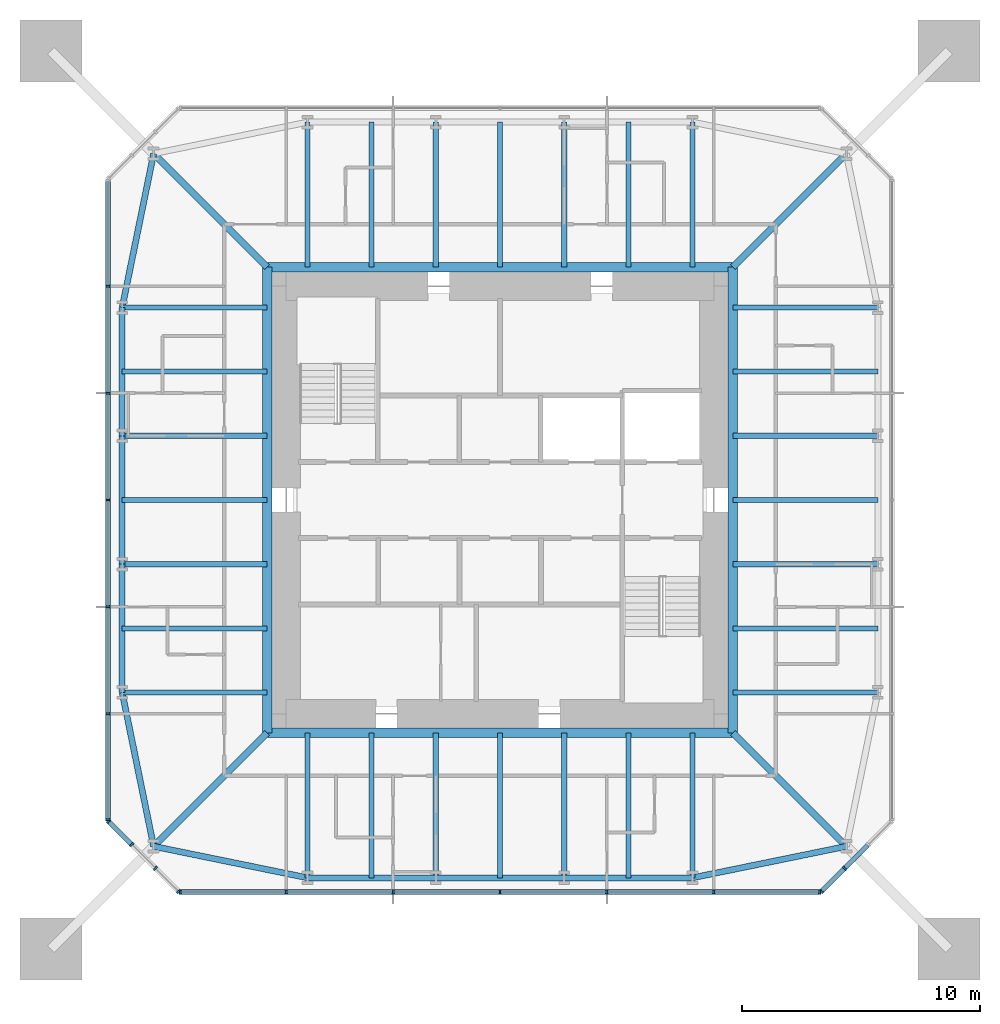
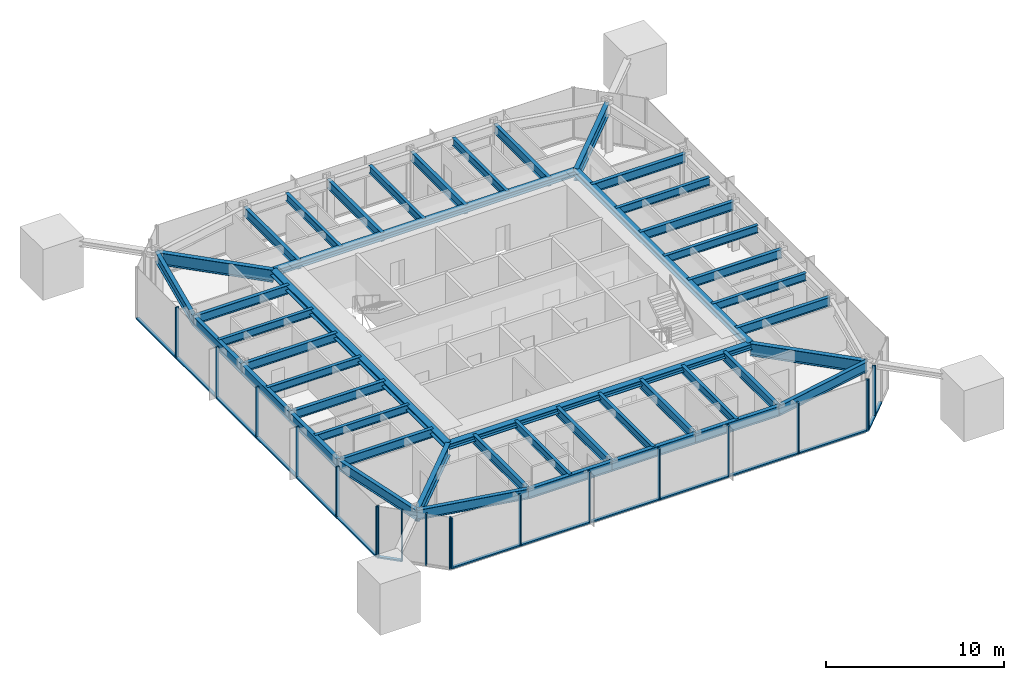
# One storey, part 2 of 9: 46 beams, 34 members, 4 elements without a shape of their own.
"""IFC4 building model written with IfcOpenShell, lengths in metres."""

from ifc_helpers import new_model, si_unit, direction, frame, origin, origin_2d, place, context, subcontext, project, spatial, rectangle, i_section, extrude, material, material_profile, profile_set, type_object, element, aggregate, save


model = new_model("IFC4")

# Units and contexts
model_context = context("Model", 3, precision=1e-05, world=origin(), true_north=direction((0.0, 1.0)))
body_context = subcontext(model_context, "Body", "Model", "MODEL_VIEW")
ifc_project = project(units=[si_unit("LENGTHUNIT", "METRE"), si_unit("AREAUNIT", "SQUARE_METRE"), si_unit("VOLUMEUNIT", "CUBIC_METRE"), si_unit("PLANEANGLEUNIT", "RADIAN"), si_unit("MASSUNIT", "GRAM", prefix="KILO")], contexts=[model_context])

# Site, building, storey
site_placement = place(None, origin())
site = spatial("IfcSite", under=ifc_project, at=site_placement, CompositionType="ELEMENT")
building_placement = place(site_placement, origin())
building = spatial("IfcBuilding", under=site, at=building_placement, Name="Iwan Alto Co-Living Towers", CompositionType="ELEMENT")
storey_placement = place(building_placement, frame((0.0, 0.0, 243.0)))
storey = spatial("IfcBuildingStorey", under=building, at=storey_placement, Name="L66", CompositionType="ELEMENT", Elevation=243.0)

# Curtain wall, members
ifc_material_1 = material(Name="Bronze aluminium unitised frame", Category="aluminium")
curtain_wall_type_1 = type_object("IfcCurtainWallType", Name="CURTAIN WALL CW-A", PredefinedType="NOTDEFINED", material=ifc_material_1)
curtain_wall_1_placement = place(storey_placement, origin())
curtain_wall_1 = element("IfcCurtainWall", 1, at=curtain_wall_1_placement, inside=storey, type_object=curtain_wall_type_1, Name="T1 curtain wall S L66", PredefinedType="NOTDEFINED")
ifc_material_2 = material(Name="Aluminium 6063-T6 bronze anodised", Category="aluminium")
ifc_material_profile_1 = material_profile(ifc_material_2, rectangle(XDim=0.199951171875, YDim=0.080078125, at=origin_2d()), Name="AL 80X200")
ifc_profile_set_1 = profile_set([ifc_material_profile_1], Name="Aluminium 6063-T6 bronze anodised")
member_type_1 = type_object("IfcMemberType", Name="CW-A MULLION 80X200", PredefinedType="MULLION", material=ifc_profile_set_1)
member_1_placement = place(storey_placement, frame((-13.4599609375, -16.5, 0.0), z_axis=(0.0, 0.0, 1.0), x_axis=(0.0, 1.0, 0.0)))
member_1 = element("IfcMember", 2, at=member_1_placement, type_object=member_type_1, Name="CW-A mullion 1", PredefinedType="MULLION", context=body_context, shape_type="SweptSolid", body=[
    extrude(rectangle(XDim=0.199951171875, YDim=0.080078125, at=origin_2d()), origin(), (0.0, 0.0, 1.0), 3.5),
])
member_2_placement = place(storey_placement, frame((-9.0, -16.5, 0.0), z_axis=(0.0, 0.0, 1.0), x_axis=(0.0, 1.0, 0.0)))
member_2 = element("IfcMember", 3, at=member_2_placement, type_object=member_type_1, Name="CW-A mullion 2", PredefinedType="MULLION", context=body_context, shape_type="SweptSolid", body=[
    extrude(rectangle(XDim=0.199951171875, YDim=0.080078125, at=origin_2d()), origin(), (0.0, 0.0, 1.0), 3.5),
])
member_3_placement = place(storey_placement, frame((-4.5, -16.5, 0.0), z_axis=(0.0, 0.0, 1.0), x_axis=(0.0, 1.0, 0.0)))
member_3 = element("IfcMember", 4, at=member_3_placement, type_object=member_type_1, Name="CW-A mullion 3", PredefinedType="MULLION", context=body_context, shape_type="SweptSolid", body=[
    extrude(rectangle(XDim=0.199951171875, YDim=0.080078125, at=origin_2d()), origin(), (0.0, 0.0, 1.0), 3.5),
])
member_4_placement = place(storey_placement, frame((0.0, -16.5, 0.0), z_axis=(0.0, 0.0, 1.0), x_axis=(0.0, 1.0, 0.0)))
member_4 = element("IfcMember", 5, at=member_4_placement, type_object=member_type_1, Name="CW-A mullion 4", PredefinedType="MULLION", context=body_context, shape_type="SweptSolid", body=[
    extrude(rectangle(XDim=0.199951171875, YDim=0.080078125, at=origin_2d()), origin(), (0.0, 0.0, 1.0), 3.5),
])
member_5_placement = place(storey_placement, frame((4.5, -16.5, 0.0), z_axis=(0.0, 0.0, 1.0), x_axis=(0.0, 1.0, 0.0)))
member_5 = element("IfcMember", 6, at=member_5_placement, type_object=member_type_1, Name="CW-A mullion 5", PredefinedType="MULLION", context=body_context, shape_type="SweptSolid", body=[
    extrude(rectangle(XDim=0.199951171875, YDim=0.080078125, at=origin_2d()), origin(), (0.0, 0.0, 1.0), 3.5),
])
member_6_placement = place(storey_placement, frame((9.0, -16.5, 0.0), z_axis=(0.0, 0.0, 1.0), x_axis=(0.0, 1.0, 0.0)))
member_6 = element("IfcMember", 7, at=member_6_placement, type_object=member_type_1, Name="CW-A mullion 6", PredefinedType="MULLION", context=body_context, shape_type="SweptSolid", body=[
    extrude(rectangle(XDim=0.199951171875, YDim=0.080078125, at=origin_2d()), origin(), (0.0, 0.0, 1.0), 3.5),
])
member_7_placement = place(storey_placement, frame((13.4599609375, -16.5, 0.0), z_axis=(0.0, 0.0, 1.0), x_axis=(0.0, 1.0, 0.0)))
member_7 = element("IfcMember", 8, at=member_7_placement, type_object=member_type_1, Name="CW-A mullion 7", PredefinedType="MULLION", context=body_context, shape_type="SweptSolid", body=[
    extrude(rectangle(XDim=0.199951171875, YDim=0.080078125, at=origin_2d()), origin(), (0.0, 0.0, 1.0), 3.5),
])

curtain_wall_2_placement = place(storey_placement, origin())
curtain_wall_2 = element("IfcCurtainWall", 9, at=curtain_wall_2_placement, inside=storey, type_object=curtain_wall_type_1, Name="T1 curtain wall W L66", PredefinedType="NOTDEFINED")
member_8_placement = place(storey_placement, frame((-16.5, 9.0, 0.0), z_axis=(0.0, 0.0, 1.0), x_axis=(1.0, 0.0, 0.0)))
member_8 = element("IfcMember", 10, at=member_8_placement, type_object=member_type_1, Name="CW-A mullion 2", PredefinedType="MULLION", context=body_context, shape_type="SweptSolid", body=[
    extrude(rectangle(XDim=0.199951171875, YDim=0.080078125, at=origin_2d()), origin(), (0.0, 0.0, 1.0), 3.5),
])
member_9_placement = place(storey_placement, frame((-16.5, 4.5, 0.0), z_axis=(0.0, 0.0, 1.0), x_axis=(1.0, 0.0, 0.0)))
member_9 = element("IfcMember", 11, at=member_9_placement, type_object=member_type_1, Name="CW-A mullion 3", PredefinedType="MULLION", context=body_context, shape_type="SweptSolid", body=[
    extrude(rectangle(XDim=0.199951171875, YDim=0.080078125, at=origin_2d()), origin(), (0.0, 0.0, 1.0), 3.5),
])
member_10_placement = place(storey_placement, frame((-16.5, 0.0, 0.0), z_axis=(0.0, 0.0, 1.0), x_axis=(1.0, 0.0, 0.0)))
member_10 = element("IfcMember", 12, at=member_10_placement, type_object=member_type_1, Name="CW-A mullion 4", PredefinedType="MULLION", context=body_context, shape_type="SweptSolid", body=[
    extrude(rectangle(XDim=0.199951171875, YDim=0.080078125, at=origin_2d()), origin(), (0.0, 0.0, 1.0), 3.5),
])
member_11_placement = place(storey_placement, frame((-16.5, -4.5, 0.0), z_axis=(0.0, 0.0, 1.0), x_axis=(1.0, 0.0, 0.0)))
member_11 = element("IfcMember", 13, at=member_11_placement, type_object=member_type_1, Name="CW-A mullion 5", PredefinedType="MULLION", context=body_context, shape_type="SweptSolid", body=[
    extrude(rectangle(XDim=0.199951171875, YDim=0.080078125, at=origin_2d()), origin(), (0.0, 0.0, 1.0), 3.5),
])
member_12_placement = place(storey_placement, frame((-16.5, -9.0, 0.0), z_axis=(0.0, 0.0, 1.0), x_axis=(1.0, 0.0, 0.0)))
member_12 = element("IfcMember", 14, at=member_12_placement, type_object=member_type_1, Name="CW-A mullion 6", PredefinedType="MULLION", context=body_context, shape_type="SweptSolid", body=[
    extrude(rectangle(XDim=0.199951171875, YDim=0.080078125, at=origin_2d()), origin(), (0.0, 0.0, 1.0), 3.5),
])
member_13_placement = place(storey_placement, frame((-16.5, -13.4599609375, 0.0), z_axis=(0.0, 0.0, 1.0), x_axis=(1.0, 0.0, 0.0)))
member_13 = element("IfcMember", 15, at=member_13_placement, type_object=member_type_1, Name="CW-A mullion 7", PredefinedType="MULLION", context=body_context, shape_type="SweptSolid", body=[
    extrude(rectangle(XDim=0.199951171875, YDim=0.080078125, at=origin_2d()), origin(), (0.0, 0.0, 1.0), 3.5),
])

# Member
ifc_material_3 = material(Name="Aluminium 6063-T6 bronze anodised", Category="aluminium")
ifc_material_profile_2 = material_profile(ifc_material_3, rectangle(XDim=0.199951171875, YDim=0.10009765625, at=origin_2d()), Name="AL 200X100")
ifc_profile_set_2 = profile_set([ifc_material_profile_2], Name="Aluminium 6063-T6 bronze anodised")
member_type_2 = type_object("IfcMemberType", Name="CW-A TRANSOM 200X100", PredefinedType="USERDEFINED", material=ifc_profile_set_2)
member_14_placement = place(storey_placement, frame((-13.419921875, -16.5, 0.050048828125), z_axis=(1.0, 0.0, 0.0), x_axis=(0.0, 1.0, 0.0)))
member_14 = element("IfcMember", 16, at=member_14_placement, type_object=member_type_2, Name="CW-A transom 1.1", ObjectType="TRANSOM", PredefinedType="USERDEFINED", context=body_context, shape_type="SweptSolid", body=[
    extrude(rectangle(XDim=0.199951171875, YDim=0.10009765625, at=origin_2d()), origin(), (0.0, 0.0, 1.0), 4.3798828125),
])

member_15_placement = place(storey_placement, frame((-8.9599609375, -16.5, 0.050048828125), z_axis=(1.0, 0.0, 0.0), x_axis=(0.0, 1.0, 0.0)))
member_15 = element("IfcMember", 17, at=member_15_placement, type_object=member_type_2, Name="CW-A transom 2.1", ObjectType="TRANSOM", PredefinedType="USERDEFINED", context=body_context, shape_type="SweptSolid", body=[
    extrude(rectangle(XDim=0.199951171875, YDim=0.10009765625, at=origin_2d()), origin(), (0.0, 0.0, 1.0), 4.419921875),
])

member_16_placement = place(storey_placement, frame((-4.4599609375, -16.5, 0.050048828125), z_axis=(1.0, 0.0, 0.0), x_axis=(0.0, 1.0, 0.0)))
member_16 = element("IfcMember", 18, at=member_16_placement, type_object=member_type_2, Name="CW-A transom 3.1", ObjectType="TRANSOM", PredefinedType="USERDEFINED", context=body_context, shape_type="SweptSolid", body=[
    extrude(rectangle(XDim=0.199951171875, YDim=0.10009765625, at=origin_2d()), origin(), (0.0, 0.0, 1.0), 4.419921875),
])

member_17_placement = place(storey_placement, frame((0.0400390625, -16.5, 0.050048828125), z_axis=(1.0, 0.0, 0.0), x_axis=(0.0, 1.0, 0.0)))
member_17 = element("IfcMember", 19, at=member_17_placement, type_object=member_type_2, Name="CW-A transom 4.1", ObjectType="TRANSOM", PredefinedType="USERDEFINED", context=body_context, shape_type="SweptSolid", body=[
    extrude(rectangle(XDim=0.199951171875, YDim=0.10009765625, at=origin_2d()), origin(), (0.0, 0.0, 1.0), 4.419921875),
])

member_18_placement = place(storey_placement, frame((4.5400390625, -16.5, 0.050048828125), z_axis=(1.0, 0.0, 0.0), x_axis=(0.0, 1.0, 0.0)))
member_18 = element("IfcMember", 20, at=member_18_placement, type_object=member_type_2, Name="CW-A transom 5.1", ObjectType="TRANSOM", PredefinedType="USERDEFINED", context=body_context, shape_type="SweptSolid", body=[
    extrude(rectangle(XDim=0.199951171875, YDim=0.10009765625, at=origin_2d()), origin(), (0.0, 0.0, 1.0), 4.419921875),
])

member_19_placement = place(storey_placement, frame((9.0400390625, -16.5, 0.050048828125), z_axis=(1.0, 0.0, 0.0), x_axis=(0.0, 1.0, 0.0)))
member_19 = element("IfcMember", 21, at=member_19_placement, type_object=member_type_2, Name="CW-A transom 6.1", ObjectType="TRANSOM", PredefinedType="USERDEFINED", context=body_context, shape_type="SweptSolid", body=[
    extrude(rectangle(XDim=0.199951171875, YDim=0.10009765625, at=origin_2d()), origin(), (0.0, 0.0, 1.0), 4.3798828125),
])

aggregate(curtain_wall_1, [member_1, member_2, member_3, member_4, member_5, member_6, member_7, member_14, member_15, member_16, member_17, member_18, member_19])

member_20_placement = place(storey_placement, frame((-16.5, 13.419921875, 0.050048828125), z_axis=(0.0, -1.0, 0.0), x_axis=(1.0, 0.0, 0.0)))
member_20 = element("IfcMember", 22, at=member_20_placement, type_object=member_type_2, Name="CW-A transom 1.1", ObjectType="TRANSOM", PredefinedType="USERDEFINED", context=body_context, shape_type="SweptSolid", body=[
    extrude(rectangle(XDim=0.199951171875, YDim=0.10009765625, at=origin_2d()), origin(), (0.0, 0.0, 1.0), 4.3798828125),
])

member_21_placement = place(storey_placement, frame((-16.5, 8.9599609375, 0.050048828125), z_axis=(0.0, -1.0, 0.0), x_axis=(1.0, 0.0, 0.0)))
member_21 = element("IfcMember", 23, at=member_21_placement, type_object=member_type_2, Name="CW-A transom 2.1", ObjectType="TRANSOM", PredefinedType="USERDEFINED", context=body_context, shape_type="SweptSolid", body=[
    extrude(rectangle(XDim=0.199951171875, YDim=0.10009765625, at=origin_2d()), origin(), (0.0, 0.0, 1.0), 4.419921875),
])

member_22_placement = place(storey_placement, frame((-16.5, 4.4599609375, 0.050048828125), z_axis=(0.0, -1.0, 0.0), x_axis=(1.0, 0.0, 0.0)))
member_22 = element("IfcMember", 24, at=member_22_placement, type_object=member_type_2, Name="CW-A transom 3.1", ObjectType="TRANSOM", PredefinedType="USERDEFINED", context=body_context, shape_type="SweptSolid", body=[
    extrude(rectangle(XDim=0.199951171875, YDim=0.10009765625, at=origin_2d()), origin(), (0.0, 0.0, 1.0), 4.419921875),
])

member_23_placement = place(storey_placement, frame((-16.5, -0.0400390625, 0.050048828125), z_axis=(0.0, -1.0, 0.0), x_axis=(1.0, 0.0, 0.0)))
member_23 = element("IfcMember", 25, at=member_23_placement, type_object=member_type_2, Name="CW-A transom 4.1", ObjectType="TRANSOM", PredefinedType="USERDEFINED", context=body_context, shape_type="SweptSolid", body=[
    extrude(rectangle(XDim=0.199951171875, YDim=0.10009765625, at=origin_2d()), origin(), (0.0, 0.0, 1.0), 4.419921875),
])

member_24_placement = place(storey_placement, frame((-16.5, -4.5400390625, 0.050048828125), z_axis=(0.0, -1.0, 0.0), x_axis=(1.0, 0.0, 0.0)))
member_24 = element("IfcMember", 26, at=member_24_placement, type_object=member_type_2, Name="CW-A transom 5.1", ObjectType="TRANSOM", PredefinedType="USERDEFINED", context=body_context, shape_type="SweptSolid", body=[
    extrude(rectangle(XDim=0.199951171875, YDim=0.10009765625, at=origin_2d()), origin(), (0.0, 0.0, 1.0), 4.419921875),
])

member_25_placement = place(storey_placement, frame((-16.5, -9.0400390625, 0.050048828125), z_axis=(0.0, -1.0, 0.0), x_axis=(1.0, 0.0, 0.0)))
member_25 = element("IfcMember", 27, at=member_25_placement, type_object=member_type_2, Name="CW-A transom 6.1", ObjectType="TRANSOM", PredefinedType="USERDEFINED", context=body_context, shape_type="SweptSolid", body=[
    extrude(rectangle(XDim=0.199951171875, YDim=0.10009765625, at=origin_2d()), origin(), (0.0, 0.0, 1.0), 4.3798828125),
])

aggregate(curtain_wall_2, [member_8, member_9, member_10, member_11, member_12, member_13, member_20, member_21, member_22, member_23, member_24, member_25])

# Curtain wall, members
ifc_material_4 = material(Name="Bronze aluminium unitised frame", Category="aluminium")
curtain_wall_type_2 = type_object("IfcCurtainWallType", Name="CURTAIN WALL CW-B", PredefinedType="NOTDEFINED", material=ifc_material_4)
curtain_wall_3_placement = place(storey_placement, origin())
curtain_wall_3 = element("IfcCurtainWall", 28, at=curtain_wall_3_placement, inside=storey, type_object=curtain_wall_type_2, Name="T1 chamfer curtain wall SE L66", PredefinedType="NOTDEFINED")
ifc_material_5 = material(Name="Aluminium 6063-T6 bronze anodised", Category="aluminium")
ifc_material_profile_3 = material_profile(ifc_material_5, rectangle(XDim=0.199951171875, YDim=0.080078125, at=origin_2d()), Name="AL 80X200")
ifc_profile_set_3 = profile_set([ifc_material_profile_3], Name="Aluminium 6063-T6 bronze anodised")
member_type_3 = type_object("IfcMemberType", Name="CW-B MULLION 80X200", PredefinedType="MULLION", material=ifc_profile_set_3)
member_26_placement = place(storey_placement, frame((13.5283203125, -16.4716796875, 0.0), z_axis=(0.0, 0.0, 1.0), x_axis=(-0.707106781187, 0.707106781187, 0.0)))
member_26 = element("IfcMember", 29, at=member_26_placement, type_object=member_type_3, Name="CW-B mullion 1", PredefinedType="MULLION", context=body_context, shape_type="SweptSolid", body=[
    extrude(rectangle(XDim=0.199951171875, YDim=0.080078125, at=origin_2d()), origin(), (0.0, 0.0, 1.0), 3.5),
])
member_27_placement = place(storey_placement, frame((14.5, -15.5, 0.0), z_axis=(0.0, 0.0, 1.0), x_axis=(-0.707106781187, 0.707106781187, 0.0)))
member_27 = element("IfcMember", 30, at=member_27_placement, type_object=member_type_3, Name="CW-B mullion 2", PredefinedType="MULLION", context=body_context, shape_type="SweptSolid", body=[
    extrude(rectangle(XDim=0.199951171875, YDim=0.080078125, at=origin_2d()), origin(), (0.0, 0.0, 1.0), 3.5),
])

curtain_wall_4_placement = place(storey_placement, origin())
curtain_wall_4 = element("IfcCurtainWall", 31, at=curtain_wall_4_placement, inside=storey, type_object=curtain_wall_type_2, Name="T1 chamfer curtain wall SW L66", PredefinedType="NOTDEFINED")
member_28_placement = place(storey_placement, frame((-16.4716796875, -13.5283203125, 0.0), z_axis=(0.0, 0.0, 1.0), x_axis=(0.707106781187, 0.707106781187, 0.0)))
member_28 = element("IfcMember", 32, at=member_28_placement, type_object=member_type_3, Name="CW-B mullion 1", PredefinedType="MULLION", context=body_context, shape_type="SweptSolid", body=[
    extrude(rectangle(XDim=0.199951171875, YDim=0.080078125, at=origin_2d()), origin(), (0.0, 0.0, 1.0), 3.5),
])
member_29_placement = place(storey_placement, frame((-15.5, -14.5, 0.0), z_axis=(0.0, 0.0, 1.0), x_axis=(0.707106781187, 0.707106781187, 0.0)))
member_29 = element("IfcMember", 33, at=member_29_placement, type_object=member_type_3, Name="CW-B mullion 2", PredefinedType="MULLION", context=body_context, shape_type="SweptSolid", body=[
    extrude(rectangle(XDim=0.199951171875, YDim=0.080078125, at=origin_2d()), origin(), (0.0, 0.0, 1.0), 3.5),
])
member_30_placement = place(storey_placement, frame((-14.5, -15.5, 0.0), z_axis=(0.0, 0.0, 1.0), x_axis=(0.707106781187, 0.707106781187, 0.0)))
member_30 = element("IfcMember", 34, at=member_30_placement, type_object=member_type_3, Name="CW-B mullion 3", PredefinedType="MULLION", context=body_context, shape_type="SweptSolid", body=[
    extrude(rectangle(XDim=0.199951171875, YDim=0.080078125, at=origin_2d()), origin(), (0.0, 0.0, 1.0), 3.5),
])
member_31_placement = place(storey_placement, frame((-13.5283203125, -16.4716796875, 0.0), z_axis=(0.0, 0.0, 1.0), x_axis=(0.707106781187, 0.707106781187, 0.0)))
member_31 = element("IfcMember", 35, at=member_31_placement, type_object=member_type_3, Name="CW-B mullion 4", PredefinedType="MULLION", context=body_context, shape_type="SweptSolid", body=[
    extrude(rectangle(XDim=0.199951171875, YDim=0.080078125, at=origin_2d()), origin(), (0.0, 0.0, 1.0), 3.5),
])

# Member
ifc_material_6 = material(Name="Aluminium 6063-T6 bronze anodised", Category="aluminium")
ifc_material_profile_4 = material_profile(ifc_material_6, rectangle(XDim=0.199951171875, YDim=0.10009765625, at=origin_2d()), Name="AL 200X100")
ifc_profile_set_4 = profile_set([ifc_material_profile_4], Name="Aluminium 6063-T6 bronze anodised")
member_type_4 = type_object("IfcMemberType", Name="CW-B TRANSOM 200X100", PredefinedType="USERDEFINED", material=ifc_profile_set_4)
member_32_placement = place(storey_placement, frame((13.556640625, -16.443359375, 0.050048828125), z_axis=(0.707106781187, 0.707106781187, 0.0), x_axis=(-0.707106781187, 0.707106781187, 0.0)))
member_32 = element("IfcMember", 36, at=member_32_placement, type_object=member_type_4, Name="CW-B transom 1.1", ObjectType="TRANSOM", PredefinedType="USERDEFINED", context=body_context, shape_type="SweptSolid", body=[
    extrude(rectangle(XDim=0.199951171875, YDim=0.10009765625, at=origin_2d()), origin(), (0.0, 0.0, 1.0), 1.2939453125),
])

member_33_placement = place(storey_placement, frame((14.5283203125, -15.4716796875, 0.050048828125), z_axis=(0.707106781187, 0.707106781187, 0.0), x_axis=(-0.707106781187, 0.707106781187, 0.0)))
member_33 = element("IfcMember", 37, at=member_33_placement, type_object=member_type_4, Name="CW-B transom 2.1", ObjectType="TRANSOM", PredefinedType="USERDEFINED", context=body_context, shape_type="SweptSolid", body=[
    extrude(rectangle(XDim=0.199951171875, YDim=0.10009765625, at=origin_2d()), origin(), (0.0, 0.0, 1.0), 1.334228515625),
])

aggregate(curtain_wall_3, [member_26, member_27, member_32, member_33])

member_34_placement = place(storey_placement, frame((-16.443359375, -13.556640625, 0.050048828125), z_axis=(0.707106781187, -0.707106781187, 0.0), x_axis=(0.707106781187, 0.707106781187, 0.0)))
member_34 = element("IfcMember", 38, at=member_34_placement, type_object=member_type_4, Name="CW-B transom 1.1", ObjectType="TRANSOM", PredefinedType="USERDEFINED", context=body_context, shape_type="SweptSolid", body=[
    extrude(rectangle(XDim=0.199951171875, YDim=0.10009765625, at=origin_2d()), origin(), (0.0, 0.0, 1.0), 1.2939453125),
])

aggregate(curtain_wall_4, [member_28, member_29, member_30, member_31, member_34])

# Beams
ifc_material_7 = material(Name="Steel ASTM A992 Gr 50", Category="steel")
ifc_material_profile_5 = material_profile(ifc_material_7, i_section(OverallWidth=0.398681640625, OverallDepth=0.385986328125, WebThickness=0.02099609375, FlangeThickness=0.033203125, at=origin_2d()), Name="W14X176")
ifc_profile_set_5 = profile_set([ifc_material_profile_5], Name="Steel ASTM A992 Gr 50")
beam_type_1 = type_object("IfcBeamType", Name="T1 CORE LEDGER BEAM W14X176", PredefinedType="BEAM", material=ifc_profile_set_5)
for number, where, z_axis, x_axis, name in (
    (39, (-9.79931640625, -9.79931640625, 3.076904296875), (1.0, 0.0, 0.0), (0.0, 1.0, 0.0), "T1 core ledger beam S L67"),
    (40, (9.79931640625, -9.79931640625, 3.076904296875), (0.0, 1.0, 0.0), (-1.0, 0.0, 0.0), "T1 core ledger beam E L67"),
    (41, (9.79931640625, 9.79931640625, 3.076904296875), (-1.0, 0.0, 0.0), (0.0, -1.0, 0.0), "T1 core ledger beam N L67"),
    (42, (-9.79931640625, 9.79931640625, 3.076904296875), (0.0, -1.0, 0.0), (1.0, 0.0, 0.0), "T1 core ledger beam W L67"),
):
    element("IfcBeam", number, at=place(storey_placement, frame(where, z_axis=z_axis, x_axis=x_axis)), inside=storey, type_object=beam_type_1, Name=name, PredefinedType="BEAM", context=body_context, shape_type="SweptSolid", body=[
        extrude(i_section(OverallWidth=0.398681640625, OverallDepth=0.385986328125, WebThickness=0.02099609375, FlangeThickness=0.033203125, at=origin_2d()), origin(), (0.0, 0.0, 1.0), 19.5986328125),
    ])
ifc_material_8 = material(Name="Steel ASTM A992 Gr 50", Category="steel")
ifc_material_profile_6 = material_profile(ifc_material_8, i_section(OverallWidth=0.2919921875, OverallDepth=0.8408203125, WebThickness=0.0146484375, FlangeThickness=0.021728515625, at=origin_2d()), Name="W33X130")
ifc_profile_set_6 = profile_set([ifc_material_profile_6], Name="Steel ASTM A992 Gr 50")
beam_type_2 = type_object("IfcBeamType", Name="T1 CORNER GIRDER W33X130", PredefinedType="BEAM", material=ifc_profile_set_6)
for number, where, z_axis, x_axis, name in (
    (43, (-14.57568359375, -14.57568359375, 2.849609375), (0.707106781187, 0.707106781187, 0.0), (-0.707106781187, 0.707106781187, 0.0), "T1 corner girder CSW L67"),
    (44, (14.57568359375, -14.57568359375, 2.849609375), (-0.707106781187, 0.707106781187, 0.0), (-0.707106781187, -0.707106781187, 0.0), "T1 corner girder CSE L67"),
    (45, (14.57568359375, 14.57568359375, 2.849609375), (-0.707106781187, -0.707106781187, 0.0), (0.707106781187, -0.707106781187, 0.0), "T1 corner girder CNE L67"),
    (46, (-14.57568359375, 14.57568359375, 2.849609375), (0.707106781187, -0.707106781187, 0.0), (0.707106781187, 0.707106781187, 0.0), "T1 corner girder CNW L67"),
):
    element("IfcBeam", number, at=place(storey_placement, frame(where, z_axis=z_axis, x_axis=x_axis)), inside=storey, type_object=beam_type_2, Name=name, PredefinedType="BEAM", context=body_context, shape_type="SweptSolid", body=[
        extrude(i_section(OverallWidth=0.2919921875, OverallDepth=0.8408203125, WebThickness=0.0146484375, FlangeThickness=0.021728515625, at=origin_2d()), origin(), (0.0, 0.0, 1.0), 6.7548828125),
    ])
ifc_material_9 = material(Name="Steel ASTM A992 Gr 50", Category="steel")
ifc_material_profile_7 = material_profile(ifc_material_9, i_section(OverallWidth=0.25390625, OverallDepth=0.683349609375, WebThickness=0.012451171875, FlangeThickness=0.018798828125, at=origin_2d()), Name="W27X94")
ifc_profile_set_7 = profile_set([ifc_material_profile_7], Name="Steel ASTM A992 Gr 50")
beam_type_3 = type_object("IfcBeamType", Name="T1 EDGE BEAM W27X94", PredefinedType="BEAM", material=ifc_profile_set_7)
beam_1_placement = place(storey_placement, frame((-14.57568359375, -14.57568359375, 2.928466796875), z_axis=(0.979724820103, -0.200347889618, 0.0), x_axis=(0.200347889618, 0.979724820103, 0.0)))
element("IfcBeam", 47, at=beam_1_placement, inside=storey, type_object=beam_type_3, Name="T1 edge beam CSW L67", PredefinedType="BEAM", context=body_context, shape_type="SweptSolid", body=[
    extrude(i_section(OverallWidth=0.25390625, OverallDepth=0.683349609375, WebThickness=0.012451171875, FlangeThickness=0.018798828125, at=origin_2d()), origin(), (0.0, 0.0, 1.0), 6.609619140625),
])
beam_2_placement = place(storey_placement, frame((-8.10009765625, -15.89990234375, 2.928466796875), z_axis=(1.0, 0.0, 0.0), x_axis=(0.0, 1.0, 0.0)))
element("IfcBeam", 48, at=beam_2_placement, inside=storey, type_object=beam_type_3, Name="T1 edge beam S1 L67", PredefinedType="BEAM", context=body_context, shape_type="SweptSolid", body=[
    extrude(i_section(OverallWidth=0.25390625, OverallDepth=0.683349609375, WebThickness=0.012451171875, FlangeThickness=0.018798828125, at=origin_2d()), origin(), (0.0, 0.0, 1.0), 5.400146484375),
])
beam_3_placement = place(storey_placement, frame((-2.699951171875, -15.89990234375, 2.928466796875), z_axis=(1.0, 0.0, 0.0), x_axis=(0.0, 1.0, 0.0)))
element("IfcBeam", 49, at=beam_3_placement, inside=storey, type_object=beam_type_3, Name="T1 edge beam S2 L67", PredefinedType="BEAM", context=body_context, shape_type="SweptSolid", body=[
    extrude(i_section(OverallWidth=0.25390625, OverallDepth=0.683349609375, WebThickness=0.012451171875, FlangeThickness=0.018798828125, at=origin_2d()), origin(), (0.0, 0.0, 1.0), 5.39990234375),
])
beam_4_placement = place(storey_placement, frame((2.699951171875, -15.89990234375, 2.928466796875), z_axis=(1.0, 0.0, 0.0), x_axis=(0.0, 1.0, 0.0)))
element("IfcBeam", 50, at=beam_4_placement, inside=storey, type_object=beam_type_3, Name="T1 edge beam S3 L67", PredefinedType="BEAM", context=body_context, shape_type="SweptSolid", body=[
    extrude(i_section(OverallWidth=0.25390625, OverallDepth=0.683349609375, WebThickness=0.012451171875, FlangeThickness=0.018798828125, at=origin_2d()), origin(), (0.0, 0.0, 1.0), 5.400146484375),
])
for number, where, z_axis, x_axis, name in (
    (51, (8.10009765625, -15.89990234375, 2.928466796875), (0.979724820103, 0.200347889618, 0.0), (-0.200347889618, 0.979724820103, 0.0), "T1 edge beam S4 L67"),
    (52, (-14.57568359375, 14.57568359375, 2.928466796875), (-0.200347889618, -0.979724820103, 0.0), (0.979724820103, -0.200347889618, 0.0), "T1 edge beam CNW L67"),
):
    element("IfcBeam", number, at=place(storey_placement, frame(where, z_axis=z_axis, x_axis=x_axis)), inside=storey, type_object=beam_type_3, Name=name, PredefinedType="BEAM", context=body_context, shape_type="SweptSolid", body=[
        extrude(i_section(OverallWidth=0.25390625, OverallDepth=0.683349609375, WebThickness=0.012451171875, FlangeThickness=0.018798828125, at=origin_2d()), origin(), (0.0, 0.0, 1.0), 6.609619140625),
    ])
beam_5_placement = place(storey_placement, frame((-15.89990234375, 8.10009765625, 2.928466796875), z_axis=(0.0, -1.0, 0.0), x_axis=(1.0, 0.0, 0.0)))
element("IfcBeam", 53, at=beam_5_placement, inside=storey, type_object=beam_type_3, Name="T1 edge beam W1 L67", PredefinedType="BEAM", context=body_context, shape_type="SweptSolid", body=[
    extrude(i_section(OverallWidth=0.25390625, OverallDepth=0.683349609375, WebThickness=0.012451171875, FlangeThickness=0.018798828125, at=origin_2d()), origin(), (0.0, 0.0, 1.0), 5.400146484375),
])
beam_6_placement = place(storey_placement, frame((-15.89990234375, 2.699951171875, 2.928466796875), z_axis=(0.0, -1.0, 0.0), x_axis=(1.0, 0.0, 0.0)))
element("IfcBeam", 54, at=beam_6_placement, inside=storey, type_object=beam_type_3, Name="T1 edge beam W2 L67", PredefinedType="BEAM", context=body_context, shape_type="SweptSolid", body=[
    extrude(i_section(OverallWidth=0.25390625, OverallDepth=0.683349609375, WebThickness=0.012451171875, FlangeThickness=0.018798828125, at=origin_2d()), origin(), (0.0, 0.0, 1.0), 5.39990234375),
])
beam_7_placement = place(storey_placement, frame((-15.89990234375, -2.699951171875, 2.928466796875), z_axis=(0.0, -1.0, 0.0), x_axis=(1.0, 0.0, 0.0)))
element("IfcBeam", 55, at=beam_7_placement, inside=storey, type_object=beam_type_3, Name="T1 edge beam W3 L67", PredefinedType="BEAM", context=body_context, shape_type="SweptSolid", body=[
    extrude(i_section(OverallWidth=0.25390625, OverallDepth=0.683349609375, WebThickness=0.012451171875, FlangeThickness=0.018798828125, at=origin_2d()), origin(), (0.0, 0.0, 1.0), 5.400146484375),
])
beam_8_placement = place(storey_placement, frame((-15.89990234375, -8.10009765625, 2.928466796875), z_axis=(0.200347889618, -0.979724820103, 0.0), x_axis=(0.979724820103, 0.200347889618, 0.0)))
element("IfcBeam", 56, at=beam_8_placement, inside=storey, type_object=beam_type_3, Name="T1 edge beam W4 L67", PredefinedType="BEAM", context=body_context, shape_type="SweptSolid", body=[
    extrude(i_section(OverallWidth=0.25390625, OverallDepth=0.683349609375, WebThickness=0.012451171875, FlangeThickness=0.018798828125, at=origin_2d()), origin(), (0.0, 0.0, 1.0), 6.609619140625),
])
ifc_material_10 = material(Name="Steel ASTM A992 Gr 50", Category="steel")
ifc_material_profile_8 = material_profile(ifc_material_10, i_section(OverallWidth=0.228271484375, OverallDepth=0.607177734375, WebThickness=0.01123046875, FlangeThickness=0.017333984375, at=origin_2d()), Name="W24X76")
ifc_profile_set_8 = profile_set([ifc_material_profile_8], Name="Steel ASTM A992 Gr 50")
beam_type_4 = type_object("IfcBeamType", Name="T1 RADIAL BEAM W24X76", PredefinedType="BEAM", material=ifc_profile_set_8)
for number, where, z_axis, x_axis, name in (
    (57, (-8.10009765625, -15.89990234375, 2.966552734375), (0.0, 1.0, 0.0), (-1.0, 0.0, 0.0), "T1 radial beam S1 L67"),
    (58, (-2.699951171875, -15.89990234375, 2.966552734375), (0.0, 1.0, 0.0), (-1.0, 0.0, 0.0), "T1 radial beam S2 L67"),
    (59, (2.699951171875, -15.89990234375, 2.966552734375), (0.0, 1.0, 0.0), (-1.0, 0.0, 0.0), "T1 radial beam S3 L67"),
    (60, (8.10009765625, -15.89990234375, 2.966552734375), (0.0, 1.0, 0.0), (-1.0, 0.0, 0.0), "T1 radial beam S4 L67"),
    (61, (15.89990234375, -8.10009765625, 2.966552734375), (-1.0, 0.0, 0.0), (0.0, -1.0, 0.0), "T1 radial beam E1 L67"),
    (62, (15.89990234375, -2.699951171875, 2.966552734375), (-1.0, 0.0, 0.0), (0.0, -1.0, 0.0), "T1 radial beam E2 L67"),
    (63, (15.89990234375, 2.699951171875, 2.966552734375), (-1.0, 0.0, 0.0), (0.0, -1.0, 0.0), "T1 radial beam E3 L67"),
    (64, (15.89990234375, 8.10009765625, 2.966552734375), (-1.0, 0.0, 0.0), (0.0, -1.0, 0.0), "T1 radial beam E4 L67"),
    (65, (8.10009765625, 15.89990234375, 2.966552734375), (0.0, -1.0, 0.0), (1.0, 0.0, 0.0), "T1 radial beam N1 L67"),
    (66, (2.699951171875, 15.89990234375, 2.966552734375), (0.0, -1.0, 0.0), (1.0, 0.0, 0.0), "T1 radial beam N2 L67"),
    (67, (-2.699951171875, 15.89990234375, 2.966552734375), (0.0, -1.0, 0.0), (1.0, 0.0, 0.0), "T1 radial beam N3 L67"),
    (68, (-8.10009765625, 15.89990234375, 2.966552734375), (0.0, -1.0, 0.0), (1.0, 0.0, 0.0), "T1 radial beam N4 L67"),
    (69, (-15.89990234375, 8.10009765625, 2.966552734375), (1.0, 0.0, 0.0), (0.0, 1.0, 0.0), "T1 radial beam W1 L67"),
    (70, (-15.89990234375, 2.699951171875, 2.966552734375), (1.0, 0.0, 0.0), (0.0, 1.0, 0.0), "T1 radial beam W2 L67"),
    (71, (-15.89990234375, -2.699951171875, 2.966552734375), (1.0, 0.0, 0.0), (0.0, 1.0, 0.0), "T1 radial beam W3 L67"),
    (72, (-15.89990234375, -8.10009765625, 2.966552734375), (1.0, 0.0, 0.0), (0.0, 1.0, 0.0), "T1 radial beam W4 L67"),
):
    element("IfcBeam", number, at=place(storey_placement, frame(where, z_axis=z_axis, x_axis=x_axis)), inside=storey, type_object=beam_type_4, Name=name, PredefinedType="BEAM", context=body_context, shape_type="SweptSolid", body=[
        extrude(i_section(OverallWidth=0.228271484375, OverallDepth=0.607177734375, WebThickness=0.01123046875, FlangeThickness=0.017333984375, at=origin_2d()), origin(), (0.0, 0.0, 1.0), 6.1005859375),
    ])
ifc_material_11 = material(Name="Steel ASTM A992 Gr 50", Category="steel")
ifc_material_profile_9 = material_profile(ifc_material_11, i_section(OverallWidth=0.209228515625, OverallDepth=0.533447265625, WebThickness=0.01025390625, FlangeThickness=0.015625, at=origin_2d()), Name="W21X62")
ifc_profile_set_9 = profile_set([ifc_material_profile_9], Name="Steel ASTM A992 Gr 50")
beam_type_5 = type_object("IfcBeamType", Name="T1 SECONDARY BEAM W21X62", PredefinedType="JOIST", material=ifc_profile_set_9)
for number, where, z_axis, x_axis, name in (
    (73, (-5.39990234375, -15.89990234375, 3.00341796875), (0.0, 1.0, 0.0), (-1.0, 0.0, 0.0), "T1 secondary beam S1 L67"),
    (74, (0.0, -15.89990234375, 3.00341796875), (0.0, 1.0, 0.0), (-1.0, 0.0, 0.0), "T1 secondary beam S2 L67"),
    (75, (5.39990234375, -15.89990234375, 3.00341796875), (0.0, 1.0, 0.0), (-1.0, 0.0, 0.0), "T1 secondary beam S3 L67"),
    (76, (15.89990234375, -5.39990234375, 3.00341796875), (-1.0, 0.0, 0.0), (0.0, -1.0, 0.0), "T1 secondary beam E1 L67"),
    (77, (15.89990234375, 0.0, 3.00341796875), (-1.0, 0.0, 0.0), (0.0, -1.0, 0.0), "T1 secondary beam E2 L67"),
    (78, (15.89990234375, 5.39990234375, 3.00341796875), (-1.0, 0.0, 0.0), (0.0, -1.0, 0.0), "T1 secondary beam E3 L67"),
    (79, (5.39990234375, 15.89990234375, 3.00341796875), (0.0, -1.0, 0.0), (1.0, 0.0, 0.0), "T1 secondary beam N1 L67"),
    (80, (0.0, 15.89990234375, 3.00341796875), (0.0, -1.0, 0.0), (1.0, 0.0, 0.0), "T1 secondary beam N2 L67"),
    (81, (-5.39990234375, 15.89990234375, 3.00341796875), (0.0, -1.0, 0.0), (1.0, 0.0, 0.0), "T1 secondary beam N3 L67"),
    (82, (-15.89990234375, 5.39990234375, 3.00341796875), (1.0, 0.0, 0.0), (0.0, 1.0, 0.0), "T1 secondary beam W1 L67"),
    (83, (-15.89990234375, 0.0, 3.00341796875), (1.0, 0.0, 0.0), (0.0, 1.0, 0.0), "T1 secondary beam W2 L67"),
    (84, (-15.89990234375, -5.39990234375, 3.00341796875), (1.0, 0.0, 0.0), (0.0, 1.0, 0.0), "T1 secondary beam W3 L67"),
):
    element("IfcBeam", number, at=place(storey_placement, frame(where, z_axis=z_axis, x_axis=x_axis)), inside=storey, type_object=beam_type_5, Name=name, PredefinedType="JOIST", context=body_context, shape_type="SweptSolid", body=[
        extrude(i_section(OverallWidth=0.209228515625, OverallDepth=0.533447265625, WebThickness=0.01025390625, FlangeThickness=0.015625, at=origin_2d()), origin(), (0.0, 0.0, 1.0), 6.1005859375),
    ])

save(model, "model.ifc")
